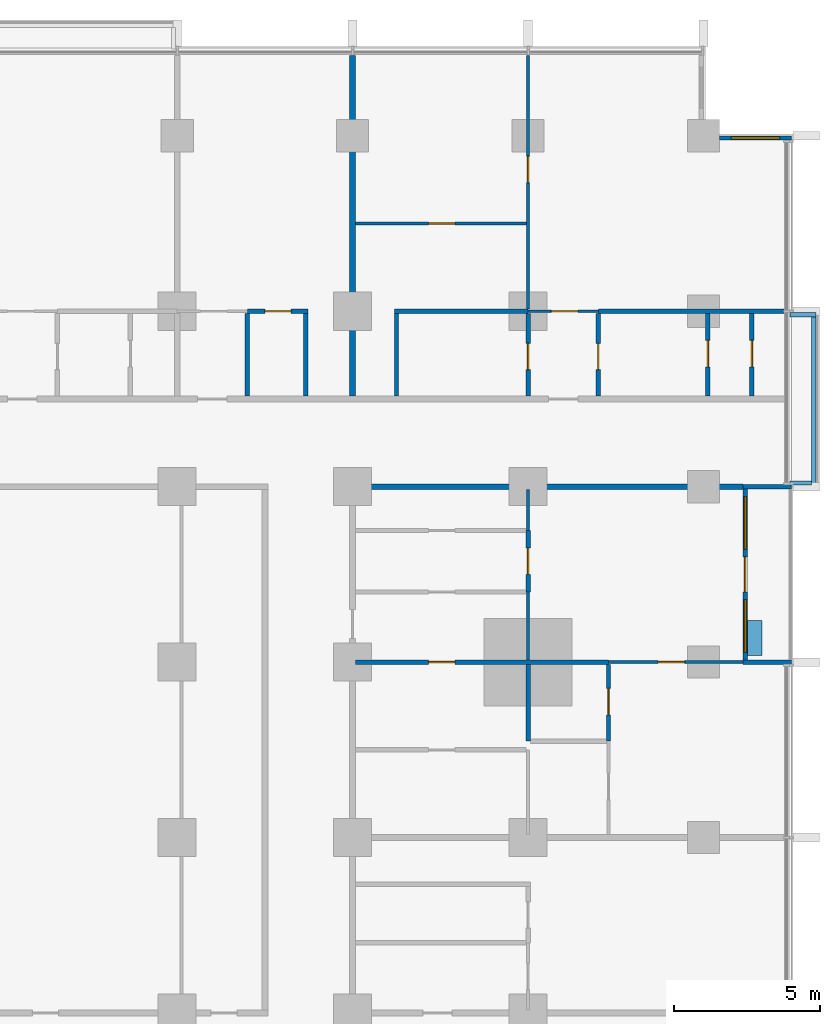
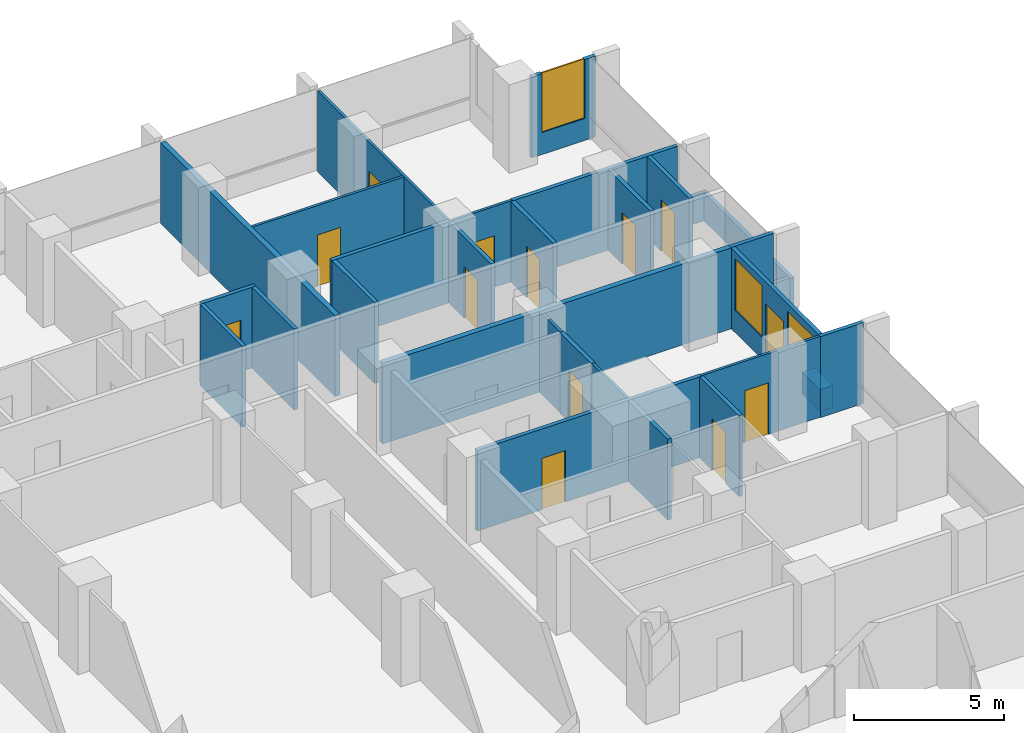
# One storey, part 12 of 18: 30 walls, 13 doors, 3 windows, 16 openings.
"""IFC4 building model written with IfcOpenShell, lengths in metres."""

from ifc_helpers import new_model, si_unit, direction, frame, frame_2d, origin, place, context, subcontext, project, spatial, rectangle, extrude, material, layer, layer_set, type_object, element, fill, save


model = new_model("IFC4")

# Units and contexts
model_context = context("Model", 3, precision=1e-05, world=origin(), true_north=direction((0.0, 1.0)))
body_context = subcontext(model_context, "Body", "Model", "MODEL_VIEW")
ifc_project = project(units=[si_unit("LENGTHUNIT", "METRE"), si_unit("AREAUNIT", "SQUARE_METRE"), si_unit("VOLUMEUNIT", "CUBIC_METRE"), si_unit("PLANEANGLEUNIT", "RADIAN"), si_unit("MASSUNIT", "GRAM", prefix="KILO")], contexts=[model_context])

# Site, building, storey
site_placement = place(None, origin())
site = spatial("IfcSite", under=ifc_project, at=site_placement, CompositionType="ELEMENT")
building_placement = place(site_placement, origin())
building = spatial("IfcBuilding", under=site, at=building_placement, Name="Finial Court Residences", CompositionType="ELEMENT")
storey_placement = place(building_placement, frame((0.0, 0.0, 36.10009765625)))
storey = spatial("IfcBuildingStorey", under=building, at=storey_placement, Name="L07", CompositionType="ELEMENT", Elevation=36.10009765625)

# Walls
ifc_material_1 = material(Name="Gypsum board")
ifc_layer_1 = layer(ifc_material_1, 0.02490234375)
ifc_material_2 = material(Name="Acoustic mineral wool in double frame")
ifc_layer_2 = layer(ifc_material_2, 0.14990234375)
ifc_layer_3 = layer(ifc_material_1, 0.02490234375)
ifc_layer_set_1 = layer_set([ifc_layer_1, ifc_layer_2, ifc_layer_3], Name="Acoustic party wall 200, 1 hour")
wall_type_1 = type_object("IfcWallType", Name="Acoustic party wall 200, 1 hour", PredefinedType="PARTITIONING", material=ifc_layer_set_1)
wall_1_placement = place(storey_placement, frame((10.5, 16.60009765625, 0.0), z_axis=(0.0, 0.0, 1.0), x_axis=(0.0, 1.0, 0.0)))
element("IfcWall", 1, at=wall_1_placement, inside=storey, type_object=wall_type_1, Name="Partition L07-076", PredefinedType="PARTITIONING", context=body_context, shape_type="SweptSolid", body=[
    extrude(rectangle(XDim=11.64990234375, YDim=0.199951171875, at=frame_2d((5.824951171875, 0.0))), origin(), (0.0, 0.0, 1.0), 3.2998046875),
])
ifc_layer_4 = layer(ifc_material_1, 0.02490234375)
ifc_layer_5 = layer(ifc_material_2, 0.14990234375)
ifc_layer_6 = layer(ifc_material_1, 0.02490234375)
ifc_layer_set_2 = layer_set([ifc_layer_4, ifc_layer_5, ifc_layer_6], Name="Corridor wall 200, 1 hour")
wall_type_2 = type_object("IfcWallType", Name="Corridor wall 200, 1 hour", PredefinedType="PARTITIONING", material=ifc_layer_set_2)
wall_2_placement = place(storey_placement, frame((10.39990234375, 13.5, 0.0), z_axis=(0.0, 0.0, 1.0), x_axis=(1.0, 0.0, 0.0)))
element("IfcWall", 2, at=wall_2_placement, inside=storey, type_object=wall_type_2, Name="Partition L07-033", PredefinedType="PARTITIONING", context=body_context, shape_type="SweptSolid", body=[
    extrude(rectangle(XDim=13.4501953125, YDim=0.199951171875, at=frame_2d((6.72509765625, 0.0))), origin(), (0.0, 0.0, 1.0), 3.2998046875),
])

# Wall, opening, door
ifc_layer_7 = layer(ifc_material_1, 0.012451171875)
ifc_material_3 = material(Name="Mineral wool in light-gauge frame")
ifc_layer_8 = layer(ifc_material_3, 0.074951171875)
ifc_layer_9 = layer(ifc_material_1, 0.012451171875)
ifc_layer_set_3 = layer_set([ifc_layer_7, ifc_layer_8, ifc_layer_9], Name="Gypsum board partition 100")
wall_type_3 = type_object("IfcWallType", Name="Gypsum board partition 100", PredefinedType="PARTITIONING", material=ifc_layer_set_3)
wall_3_placement = place(storey_placement, frame((19.25, 7.5, 0.0), z_axis=(0.0, 0.0, 1.0), x_axis=(1.0, 0.0, 0.0)))
wall_3 = element("IfcWall", 3, at=wall_3_placement, inside=storey, type_object=wall_type_3, Name="Partition L07-024", PredefinedType="PARTITIONING", context=body_context, shape_type="SweptSolid", body=[
    extrude(rectangle(XDim=4.60009765625, YDim=0.10009765625, at=frame_2d((2.300048828125, 0.0))), origin(), (0.0, 0.0, 1.0), 3.2998046875),
])
opening_1_placement = place(wall_3_placement, frame((1.699951171875, 0.0, 0.0)))
opening_1 = element("IfcOpeningElement", 4, at=opening_1_placement, cuts=wall_3, Name="Opening L07-D017", PredefinedType="OPENING", context=body_context, shape_type="SweptSolid", body=[
    extrude(rectangle(XDim=0.89990234375, YDim=2.10009765625, at=frame_2d((0.449951171875, 1.050048828125))), frame((0.0, 0.06005859375, 0.0), z_axis=(0.0, -1.0, 0.0), x_axis=(1.0, 0.0, 0.0)), (0.0, 0.0, 1.0), 0.1201171875),
])
ifc_material_4 = material(Name="Timber door leaf in timber frame", Category="wood")
door_type_1 = type_object("IfcDoorType", Name="Door set 900 x 2100", OperationType="SINGLE_SWING_LEFT", PredefinedType="DOOR", material=ifc_material_4)
door_1_placement = place(opening_1_placement, origin())
door_1 = element("IfcDoor", 5, at=door_1_placement, inside=storey, type_object=door_type_1, Name="Door L07-D017", OperationType="SINGLE_SWING_LEFT", OverallHeight=2.10009765625, OverallWidth=0.89990234375, PredefinedType="DOOR", context=body_context, shape_type="SweptSolid", body=[
    extrude(rectangle(XDim=0.89990234375, YDim=2.10009765625, at=frame_2d((0.449951171875, 1.050048828125))), frame((0.0, 0.02490234375, 0.0), z_axis=(0.0, -1.0, 0.0), x_axis=(1.0, 0.0, 0.0)), (0.0, 0.0, 1.0), 0.050048828125),
])
fill(opening_1, door_1)

wall_4_placement = place(storey_placement, frame((16.5, 19.5, 0.0), z_axis=(0.0, 0.0, 1.0), x_axis=(1.0, 0.0, 0.0)))
wall_4 = element("IfcWall", 6, at=wall_4_placement, inside=storey, type_object=wall_type_3, Name="Partition L07-038", PredefinedType="PARTITIONING", context=body_context, shape_type="SweptSolid", body=[
    extrude(rectangle(XDim=2.39990234375, YDim=0.10009765625, at=frame_2d((1.199951171875, 0.0))), origin(), (0.0, 0.0, 1.0), 3.2998046875),
])
opening_2_placement = place(wall_4_placement, frame((0.800048828125, 0.0, 0.0)))
opening_2 = element("IfcOpeningElement", 7, at=opening_2_placement, cuts=wall_4, Name="Opening L07-D031", PredefinedType="OPENING", context=body_context, shape_type="SweptSolid", body=[
    extrude(rectangle(XDim=0.89990234375, YDim=2.10009765625, at=frame_2d((0.449951171875, 1.050048828125))), frame((0.0, 0.06005859375, 0.0), z_axis=(0.0, -1.0, 0.0), x_axis=(1.0, 0.0, 0.0)), (0.0, 0.0, 1.0), 0.1201171875),
])
door_2_placement = place(opening_2_placement, origin())
door_2 = element("IfcDoor", 8, at=door_2_placement, inside=storey, type_object=door_type_1, Name="Door L07-D031", OperationType="SINGLE_SWING_LEFT", OverallHeight=2.10009765625, OverallWidth=0.89990234375, PredefinedType="DOOR", context=body_context, shape_type="SweptSolid", body=[
    extrude(rectangle(XDim=0.89990234375, YDim=2.10009765625, at=frame_2d((0.449951171875, 1.050048828125))), frame((0.0, 0.02490234375, 0.0), z_axis=(0.0, -1.0, 0.0), x_axis=(1.0, 0.0, 0.0)), (0.0, 0.0, 1.0), 0.050048828125),
])
fill(opening_2, door_2)

wall_5_placement = place(storey_placement, frame((10.60009765625, 22.5, 0.0), z_axis=(0.0, 0.0, 1.0), x_axis=(1.0, 0.0, 0.0)))
wall_5 = element("IfcWall", 9, at=wall_5_placement, inside=storey, type_object=wall_type_3, Name="Partition L07-046", PredefinedType="PARTITIONING", context=body_context, shape_type="SweptSolid", body=[
    extrude(rectangle(XDim=5.849853515625, YDim=0.10009765625, at=frame_2d((2.9248046875, 0.0))), origin(), (0.0, 0.0, 1.0), 3.2998046875),
])
opening_3_placement = place(wall_5_placement, frame((2.5, 0.0, 0.0)))
opening_3 = element("IfcOpeningElement", 10, at=opening_3_placement, cuts=wall_5, Name="Opening L07-D034", PredefinedType="OPENING", context=body_context, shape_type="SweptSolid", body=[
    extrude(rectangle(XDim=0.89990234375, YDim=2.10009765625, at=frame_2d((0.449951171875, 1.050048828125))), frame((0.0, 0.06005859375, 0.0), z_axis=(0.0, -1.0, 0.0), x_axis=(1.0, 0.0, 0.0)), (0.0, 0.0, 1.0), 0.1201171875),
])
door_3_placement = place(opening_3_placement, origin())
door_3 = element("IfcDoor", 11, at=door_3_placement, inside=storey, type_object=door_type_1, Name="Door L07-D034", OperationType="SINGLE_SWING_RIGHT", OverallHeight=2.10009765625, OverallWidth=0.89990234375, PredefinedType="DOOR", context=body_context, shape_type="SweptSolid", body=[
    extrude(rectangle(XDim=0.89990234375, YDim=2.10009765625, at=frame_2d((0.449951171875, 1.050048828125))), frame((0.0, 0.02490234375, 0.0), z_axis=(0.0, -1.0, 0.0), x_axis=(1.0, 0.0, 0.0)), (0.0, 0.0, 1.0), 0.050048828125),
])
fill(opening_3, door_3)

# Walls
wall_6_placement = place(storey_placement, frame((16.5, 7.574951171875, 0.0), z_axis=(0.0, 0.0, 1.0), x_axis=(0.0, 1.0, 0.0)))
element("IfcWall", 12, at=wall_6_placement, inside=storey, type_object=wall_type_3, Name="Partition L07-081", PredefinedType="PARTITIONING", context=body_context, shape_type="SweptSolid", body=[
    extrude(rectangle(XDim=2.324951171875, YDim=0.10009765625, at=frame_2d((1.16259765625, 0.0))), origin(), (0.0, 0.0, 1.0), 3.2998046875),
])
wall_7_placement = place(storey_placement, frame((16.5, 12.0, 0.0), z_axis=(0.0, 0.0, 1.0), x_axis=(0.0, 1.0, 0.0)))
element("IfcWall", 13, at=wall_7_placement, inside=storey, type_object=wall_type_3, Name="Partition L07-082", PredefinedType="PARTITIONING", context=body_context, shape_type="SweptSolid", body=[
    extrude(rectangle(XDim=1.39990234375, YDim=0.10009765625, at=frame_2d((0.699951171875, 0.0))), origin(), (0.0, 0.0, 1.0), 3.2998046875),
])

# Wall, opening, door
wall_8_placement = place(storey_placement, frame((16.5, 19.574951171875, 0.0), z_axis=(0.0, 0.0, 1.0), x_axis=(0.0, 1.0, 0.0)))
wall_8 = element("IfcWall", 14, at=wall_8_placement, inside=storey, type_object=wall_type_3, Name="Partition L07-083", PredefinedType="PARTITIONING", context=body_context, shape_type="SweptSolid", body=[
    extrude(rectangle(XDim=8.675048828125, YDim=0.10009765625, at=frame_2d((4.33740234375, 0.0))), origin(), (0.0, 0.0, 1.0), 3.2998046875),
])
opening_4_placement = place(wall_8_placement, frame((4.324951171875, 0.0, 0.0)))
opening_4 = element("IfcOpeningElement", 15, at=opening_4_placement, cuts=wall_8, Name="Opening L07-D049", PredefinedType="OPENING", context=body_context, shape_type="SweptSolid", body=[
    extrude(rectangle(XDim=0.89990234375, YDim=2.10009765625, at=frame_2d((0.449951171875, 1.050048828125))), frame((0.0, 0.06005859375, 0.0), z_axis=(0.0, -1.0, 0.0), x_axis=(1.0, 0.0, 0.0)), (0.0, 0.0, 1.0), 0.1201171875),
])
door_4_placement = place(opening_4_placement, origin())
door_4 = element("IfcDoor", 16, at=door_4_placement, inside=storey, type_object=door_type_1, Name="Door L07-D049", OperationType="SINGLE_SWING_LEFT", OverallHeight=2.10009765625, OverallWidth=0.89990234375, PredefinedType="DOOR", context=body_context, shape_type="SweptSolid", body=[
    extrude(rectangle(XDim=0.89990234375, YDim=2.10009765625, at=frame_2d((0.449951171875, 1.050048828125))), frame((0.0, 0.02490234375, 0.0), z_axis=(0.0, -1.0, 0.0), x_axis=(1.0, 0.0, 0.0)), (0.0, 0.0, 1.0), 0.050048828125),
])
fill(opening_4, door_4)

ifc_material_5 = material(Name="Moisture-resistant gypsum board")
ifc_layer_10 = layer(ifc_material_5, 0.012451171875)
ifc_layer_11 = layer(ifc_material_3, 0.125)
ifc_layer_12 = layer(ifc_material_5, 0.012451171875)
ifc_layer_set_4 = layer_set([ifc_layer_10, ifc_layer_11, ifc_layer_12], Name="Gypsum board wet-area partition 150")
wall_type_4 = type_object("IfcWallType", Name="Gypsum board wet-area partition 150", PredefinedType="PARTITIONING", material=ifc_layer_set_4)
wall_9_placement = place(storey_placement, frame((10.60009765625, 7.5, 0.0), z_axis=(0.0, 0.0, 1.0), x_axis=(1.0, 0.0, 0.0)))
wall_9 = element("IfcWall", 17, at=wall_9_placement, inside=storey, type_object=wall_type_4, Name="Partition L07-026", PredefinedType="PARTITIONING", context=body_context, shape_type="SweptSolid", body=[
    extrude(rectangle(XDim=8.64990234375, YDim=0.14990234375, at=frame_2d((4.324951171875, 0.0))), origin(), (0.0, 0.0, 1.0), 3.2998046875),
])
opening_5_placement = place(wall_9_placement, frame((2.5, 0.0, 0.0)))
opening_5 = element("IfcOpeningElement", 18, at=opening_5_placement, cuts=wall_9, Name="Opening L07-D018", PredefinedType="OPENING", context=body_context, shape_type="SweptSolid", body=[
    extrude(rectangle(XDim=0.89990234375, YDim=2.10009765625, at=frame_2d((0.449951171875, 1.050048828125))), frame((0.0, 0.0849609375, 0.0), z_axis=(0.0, -1.0, 0.0), x_axis=(1.0, 0.0, 0.0)), (0.0, 0.0, 1.0), 0.169921875),
])
door_5_placement = place(opening_5_placement, origin())
door_5 = element("IfcDoor", 19, at=door_5_placement, inside=storey, type_object=door_type_1, Name="Door L07-D018", OperationType="SINGLE_SWING_LEFT", OverallHeight=2.10009765625, OverallWidth=0.89990234375, PredefinedType="DOOR", context=body_context, shape_type="SweptSolid", body=[
    extrude(rectangle(XDim=0.89990234375, YDim=2.10009765625, at=frame_2d((0.449951171875, 1.050048828125))), frame((0.0, 0.02490234375, 0.0), z_axis=(0.0, -1.0, 0.0), x_axis=(1.0, 0.0, 0.0)), (0.0, 0.0, 1.0), 0.050048828125),
])
fill(opening_5, door_5)

wall_10_placement = place(storey_placement, frame((6.89990234375, 19.5, 0.0), z_axis=(0.0, 0.0, 1.0), x_axis=(1.0, 0.0, 0.0)))
wall_10 = element("IfcWall", 20, at=wall_10_placement, inside=storey, type_object=wall_type_4, Name="Partition L07-043", PredefinedType="PARTITIONING", context=body_context, shape_type="SweptSolid", body=[
    extrude(rectangle(XDim=2.0751953125, YDim=0.14990234375, at=frame_2d((1.03759765625, 0.0))), origin(), (0.0, 0.0, 1.0), 3.2998046875),
])
opening_6_placement = place(wall_10_placement, frame((0.60009765625, 0.0, 0.0)))
opening_6 = element("IfcOpeningElement", 21, at=opening_6_placement, cuts=wall_10, Name="Opening L07-D033", PredefinedType="OPENING", context=body_context, shape_type="SweptSolid", body=[
    extrude(rectangle(XDim=0.89990234375, YDim=2.10009765625, at=frame_2d((0.449951171875, 1.050048828125))), frame((0.0, 0.0849609375, 0.0), z_axis=(0.0, -1.0, 0.0), x_axis=(1.0, 0.0, 0.0)), (0.0, 0.0, 1.0), 0.169921875),
])
door_6_placement = place(opening_6_placement, origin())
door_6 = element("IfcDoor", 22, at=door_6_placement, inside=storey, type_object=door_type_1, Name="Door L07-D033", OperationType="SINGLE_SWING_RIGHT", OverallHeight=2.10009765625, OverallWidth=0.89990234375, PredefinedType="DOOR", context=body_context, shape_type="SweptSolid", body=[
    extrude(rectangle(XDim=0.89990234375, YDim=2.10009765625, at=frame_2d((0.449951171875, 1.050048828125))), frame((0.0, 0.02490234375, 0.0), z_axis=(0.0, -1.0, 0.0), x_axis=(1.0, 0.0, 0.0)), (0.0, 0.0, 1.0), 0.050048828125),
])
fill(opening_6, door_6)

# Walls
wall_11_placement = place(storey_placement, frame((11.925048828125, 19.5, 0.0), z_axis=(0.0, 0.0, 1.0), x_axis=(1.0, 0.0, 0.0)))
element("IfcWall", 23, at=wall_11_placement, inside=storey, type_object=wall_type_4, Name="Partition L07-044", PredefinedType="PARTITIONING", context=body_context, shape_type="SweptSolid", body=[
    extrude(rectangle(XDim=4.574951171875, YDim=0.14990234375, at=frame_2d((2.28759765625, 0.0))), origin(), (0.0, 0.0, 1.0), 3.2998046875),
])
wall_12_placement = place(storey_placement, frame((18.89990234375, 19.5, 0.0), z_axis=(0.0, 0.0, 1.0), x_axis=(1.0, 0.0, 0.0)))
element("IfcWall", 24, at=wall_12_placement, inside=storey, type_object=wall_type_4, Name="Partition L07-045", PredefinedType="PARTITIONING", context=body_context, shape_type="SweptSolid", body=[
    extrude(rectangle(XDim=6.35009765625, YDim=0.14990234375, at=frame_2d((3.175048828125, 0.0))), origin(), (0.0, 0.0, 1.0), 3.2998046875),
])
for number, where, z_axis, x_axis, name in (
    (25, (6.89990234375, 16.60009765625, 0.0), (0.0, 0.0, 1.0), (0.0, 1.0, 0.0), "Partition L07-072"),
    (26, (8.89990234375, 16.60009765625, 0.0), (0.0, 0.0, 1.0), (0.0, 1.0, 0.0), "Partition L07-074"),
    (27, (12.0, 16.60009765625, 0.0), (0.0, 0.0, 1.0), (0.0, 1.0, 0.0), "Partition L07-077"),
):
    element("IfcWall", number, at=place(storey_placement, frame(where, z_axis=z_axis, x_axis=x_axis)), inside=storey, type_object=wall_type_4, Name=name, PredefinedType="PARTITIONING", context=body_context, shape_type="SweptSolid", body=[
        extrude(rectangle(XDim=2.824951171875, YDim=0.14990234375, at=frame_2d((1.41259765625, 0.0))), origin(), (0.0, 0.0, 1.0), 3.2998046875),
    ])
wall_13_placement = place(storey_placement, frame((16.5, 4.800048828125, 0.0), z_axis=(0.0, 0.0, 1.0), x_axis=(0.0, 1.0, 0.0)))
element("IfcWall", 28, at=wall_13_placement, inside=storey, type_object=wall_type_4, Name="Partition L07-087", PredefinedType="PARTITIONING", context=body_context, shape_type="SweptSolid", body=[
    extrude(rectangle(XDim=2.625, YDim=0.14990234375, at=frame_2d((1.3125, 0.0))), origin(), (0.0, 0.0, 1.0), 3.2998046875),
])

# Wall, opening, door
wall_14_placement = place(storey_placement, frame((16.5, 9.89990234375, 0.0), z_axis=(0.0, 0.0, 1.0), x_axis=(0.0, 1.0, 0.0)))
wall_14 = element("IfcWall", 29, at=wall_14_placement, inside=storey, type_object=wall_type_4, Name="Partition L07-088", PredefinedType="PARTITIONING", context=body_context, shape_type="SweptSolid", body=[
    extrude(rectangle(XDim=2.10009765625, YDim=0.14990234375, at=frame_2d((1.050048828125, 0.0))), origin(), (0.0, 0.0, 1.0), 3.2998046875),
])
opening_7_placement = place(wall_14_placement, frame((0.60009765625, 0.0, 0.0)))
opening_7 = element("IfcOpeningElement", 30, at=opening_7_placement, cuts=wall_14, Name="Opening L07-D052", PredefinedType="OPENING", context=body_context, shape_type="SweptSolid", body=[
    extrude(rectangle(XDim=0.89990234375, YDim=2.10009765625, at=frame_2d((0.449951171875, 1.050048828125))), frame((0.0, 0.0849609375, 0.0), z_axis=(0.0, -1.0, 0.0), x_axis=(1.0, 0.0, 0.0)), (0.0, 0.0, 1.0), 0.169921875),
])
door_7_placement = place(opening_7_placement, origin())
door_7 = element("IfcDoor", 31, at=door_7_placement, inside=storey, type_object=door_type_1, Name="Door L07-D052", OperationType="SINGLE_SWING_RIGHT", OverallHeight=2.10009765625, OverallWidth=0.89990234375, PredefinedType="DOOR", context=body_context, shape_type="SweptSolid", body=[
    extrude(rectangle(XDim=0.89990234375, YDim=2.10009765625, at=frame_2d((0.449951171875, 1.050048828125))), frame((0.0, 0.02490234375, 0.0), z_axis=(0.0, -1.0, 0.0), x_axis=(1.0, 0.0, 0.0)), (0.0, 0.0, 1.0), 0.050048828125),
])
fill(opening_7, door_7)

wall_15_placement = place(storey_placement, frame((16.5, 16.60009765625, 0.0), z_axis=(0.0, 0.0, 1.0), x_axis=(0.0, 1.0, 0.0)))
wall_15 = element("IfcWall", 32, at=wall_15_placement, inside=storey, type_object=wall_type_4, Name="Partition L07-089", PredefinedType="PARTITIONING", context=body_context, shape_type="SweptSolid", body=[
    extrude(rectangle(XDim=2.824951171875, YDim=0.14990234375, at=frame_2d((1.41259765625, 0.0))), origin(), (0.0, 0.0, 1.0), 3.2998046875),
])
opening_8_placement = place(wall_15_placement, frame((0.89990234375, 0.0, 0.0)))
opening_8 = element("IfcOpeningElement", 33, at=opening_8_placement, cuts=wall_15, Name="Opening L07-D053", PredefinedType="OPENING", context=body_context, shape_type="SweptSolid", body=[
    extrude(rectangle(XDim=0.89990234375, YDim=2.10009765625, at=frame_2d((0.449951171875, 1.050048828125))), frame((0.0, 0.0849609375, 0.0), z_axis=(0.0, -1.0, 0.0), x_axis=(1.0, 0.0, 0.0)), (0.0, 0.0, 1.0), 0.169921875),
])
door_8_placement = place(opening_8_placement, origin())
door_8 = element("IfcDoor", 34, at=door_8_placement, inside=storey, type_object=door_type_1, Name="Door L07-D053", OperationType="SINGLE_SWING_RIGHT", OverallHeight=2.10009765625, OverallWidth=0.89990234375, PredefinedType="DOOR", context=body_context, shape_type="SweptSolid", body=[
    extrude(rectangle(XDim=0.89990234375, YDim=2.10009765625, at=frame_2d((0.449951171875, 1.050048828125))), frame((0.0, 0.02490234375, 0.0), z_axis=(0.0, -1.0, 0.0), x_axis=(1.0, 0.0, 0.0)), (0.0, 0.0, 1.0), 0.050048828125),
])
fill(opening_8, door_8)

wall_16_placement = place(storey_placement, frame((18.89990234375, 16.60009765625, 0.0), z_axis=(0.0, 0.0, 1.0), x_axis=(0.0, 1.0, 0.0)))
wall_16 = element("IfcWall", 35, at=wall_16_placement, inside=storey, type_object=wall_type_4, Name="Partition L07-090", PredefinedType="PARTITIONING", context=body_context, shape_type="SweptSolid", body=[
    extrude(rectangle(XDim=2.824951171875, YDim=0.14990234375, at=frame_2d((1.41259765625, 0.0))), origin(), (0.0, 0.0, 1.0), 3.2998046875),
])
opening_9_placement = place(wall_16_placement, frame((0.89990234375, 0.0, 0.0)))
opening_9 = element("IfcOpeningElement", 36, at=opening_9_placement, cuts=wall_16, Name="Opening L07-D054", PredefinedType="OPENING", context=body_context, shape_type="SweptSolid", body=[
    extrude(rectangle(XDim=0.89990234375, YDim=2.10009765625, at=frame_2d((0.449951171875, 1.050048828125))), frame((0.0, 0.0849609375, 0.0), z_axis=(0.0, -1.0, 0.0), x_axis=(1.0, 0.0, 0.0)), (0.0, 0.0, 1.0), 0.169921875),
])
door_9_placement = place(opening_9_placement, origin())
door_9 = element("IfcDoor", 37, at=door_9_placement, inside=storey, type_object=door_type_1, Name="Door L07-D054", OperationType="SINGLE_SWING_RIGHT", OverallHeight=2.10009765625, OverallWidth=0.89990234375, PredefinedType="DOOR", context=body_context, shape_type="SweptSolid", body=[
    extrude(rectangle(XDim=0.89990234375, YDim=2.10009765625, at=frame_2d((0.449951171875, 1.050048828125))), frame((0.0, 0.02490234375, 0.0), z_axis=(0.0, -1.0, 0.0), x_axis=(1.0, 0.0, 0.0)), (0.0, 0.0, 1.0), 0.050048828125),
])
fill(opening_9, door_9)

wall_17_placement = place(storey_placement, frame((19.25, 4.800048828125, 0.0), z_axis=(0.0, 0.0, 1.0), x_axis=(0.0, 1.0, 0.0)))
wall_17 = element("IfcWall", 38, at=wall_17_placement, inside=storey, type_object=wall_type_4, Name="Partition L07-092", PredefinedType="PARTITIONING", context=body_context, shape_type="SweptSolid", body=[
    extrude(rectangle(XDim=2.625, YDim=0.14990234375, at=frame_2d((1.3125, 0.0))), origin(), (0.0, 0.0, 1.0), 3.2998046875),
])
opening_10_placement = place(wall_17_placement, frame((0.89990234375, 0.0, 0.0)))
opening_10 = element("IfcOpeningElement", 39, at=opening_10_placement, cuts=wall_17, Name="Opening L07-D056", PredefinedType="OPENING", context=body_context, shape_type="SweptSolid", body=[
    extrude(rectangle(XDim=0.89990234375, YDim=2.10009765625, at=frame_2d((0.449951171875, 1.050048828125))), frame((0.0, 0.0849609375, 0.0), z_axis=(0.0, -1.0, 0.0), x_axis=(1.0, 0.0, 0.0)), (0.0, 0.0, 1.0), 0.169921875),
])
door_10_placement = place(opening_10_placement, origin())
door_10 = element("IfcDoor", 40, at=door_10_placement, inside=storey, type_object=door_type_1, Name="Door L07-D056", OperationType="SINGLE_SWING_LEFT", OverallHeight=2.10009765625, OverallWidth=0.89990234375, PredefinedType="DOOR", context=body_context, shape_type="SweptSolid", body=[
    extrude(rectangle(XDim=0.89990234375, YDim=2.10009765625, at=frame_2d((0.449951171875, 1.050048828125))), frame((0.0, 0.02490234375, 0.0), z_axis=(0.0, -1.0, 0.0), x_axis=(1.0, 0.0, 0.0)), (0.0, 0.0, 1.0), 0.050048828125),
])
fill(opening_10, door_10)

wall_18_placement = place(storey_placement, frame((22.64990234375, 16.60009765625, 0.0), z_axis=(0.0, 0.0, 1.0), x_axis=(0.0, 1.0, 0.0)))
wall_18 = element("IfcWall", 41, at=wall_18_placement, inside=storey, type_object=wall_type_4, Name="Partition L07-096", PredefinedType="PARTITIONING", context=body_context, shape_type="SweptSolid", body=[
    extrude(rectangle(XDim=2.824951171875, YDim=0.14990234375, at=frame_2d((1.41259765625, 0.0))), origin(), (0.0, 0.0, 1.0), 3.2998046875),
])
opening_11_placement = place(wall_18_placement, frame((1.0, 0.0, 0.0)))
opening_11 = element("IfcOpeningElement", 42, at=opening_11_placement, cuts=wall_18, Name="Opening L07-D060", PredefinedType="OPENING", context=body_context, shape_type="SweptSolid", body=[
    extrude(rectangle(XDim=0.89990234375, YDim=2.10009765625, at=frame_2d((0.449951171875, 1.050048828125))), frame((0.0, 0.0849609375, 0.0), z_axis=(0.0, -1.0, 0.0), x_axis=(1.0, 0.0, 0.0)), (0.0, 0.0, 1.0), 0.169921875),
])
door_11_placement = place(opening_11_placement, origin())
door_11 = element("IfcDoor", 43, at=door_11_placement, inside=storey, type_object=door_type_1, Name="Door L07-D060", OperationType="SINGLE_SWING_RIGHT", OverallHeight=2.10009765625, OverallWidth=0.89990234375, PredefinedType="DOOR", context=body_context, shape_type="SweptSolid", body=[
    extrude(rectangle(XDim=0.89990234375, YDim=2.10009765625, at=frame_2d((0.449951171875, 1.050048828125))), frame((0.0, 0.02490234375, 0.0), z_axis=(0.0, -1.0, 0.0), x_axis=(1.0, 0.0, 0.0)), (0.0, 0.0, 1.0), 0.050048828125),
])
fill(opening_11, door_11)

wall_19_placement = place(storey_placement, frame((24.14990234375, 16.60009765625, 0.0), z_axis=(0.0, 0.0, 1.0), x_axis=(0.0, 1.0, 0.0)))
wall_19 = element("IfcWall", 44, at=wall_19_placement, inside=storey, type_object=wall_type_4, Name="Partition L07-097", PredefinedType="PARTITIONING", context=body_context, shape_type="SweptSolid", body=[
    extrude(rectangle(XDim=2.824951171875, YDim=0.14990234375, at=frame_2d((1.41259765625, 0.0))), origin(), (0.0, 0.0, 1.0), 3.2998046875),
])
opening_12_placement = place(wall_19_placement, frame((1.0, 0.0, 0.0)))
opening_12 = element("IfcOpeningElement", 45, at=opening_12_placement, cuts=wall_19, Name="Opening L07-D061", PredefinedType="OPENING", context=body_context, shape_type="SweptSolid", body=[
    extrude(rectangle(XDim=0.89990234375, YDim=2.10009765625, at=frame_2d((0.449951171875, 1.050048828125))), frame((0.0, 0.0849609375, 0.0), z_axis=(0.0, -1.0, 0.0), x_axis=(1.0, 0.0, 0.0)), (0.0, 0.0, 1.0), 0.169921875),
])
door_12_placement = place(opening_12_placement, origin())
door_12 = element("IfcDoor", 46, at=door_12_placement, inside=storey, type_object=door_type_1, Name="Door L07-D061", OperationType="SINGLE_SWING_LEFT", OverallHeight=2.10009765625, OverallWidth=0.89990234375, PredefinedType="DOOR", context=body_context, shape_type="SweptSolid", body=[
    extrude(rectangle(XDim=0.89990234375, YDim=2.10009765625, at=frame_2d((0.449951171875, 1.050048828125))), frame((0.0, 0.02490234375, 0.0), z_axis=(0.0, -1.0, 0.0), x_axis=(1.0, 0.0, 0.0)), (0.0, 0.0, 1.0), 0.050048828125),
])
fill(opening_12, door_12)

# Walls
ifc_material_6 = material(Name="Concrete C35/45", Category="concrete")
ifc_layer_13 = layer(ifc_material_6, 0.14990234375)
ifc_layer_set_5 = layer_set([ifc_layer_13], Name="Ledge parapet, Concrete C35/45 150")
wall_type_5 = type_object("IfcWallType", Name="Ledge parapet, Concrete C35/45 150", PredefinedType="PARAPET", material=ifc_layer_set_5)
wall_20_placement = place(storey_placement, frame((25.4599609375, 19.375, 0.0), z_axis=(0.0, 0.0, 1.0), x_axis=(1.0, 0.0, 0.0)))
element("IfcWall", 47, at=wall_20_placement, inside=storey, type_object=wall_type_5, Name="E-L07-LED3-P1", PredefinedType="PARAPET", context=body_context, shape_type="SweptSolid", body=[
    extrude(rectangle(XDim=0.89013671875, YDim=0.14990234375, at=frame_2d((0.445068359375, 0.0))), origin(), (0.0, 0.0, 1.0), 1.14990234375),
])
wall_21_placement = place(storey_placement, frame((26.27490234375, 19.300048828125, 0.0), z_axis=(0.0, 0.0, 1.0), x_axis=(0.0, -1.0, 0.0)))
element("IfcWall", 48, at=wall_21_placement, inside=storey, type_object=wall_type_5, Name="E-L07-LED3-P2", PredefinedType="PARAPET", context=body_context, shape_type="SweptSolid", body=[
    extrude(rectangle(XDim=5.75, YDim=0.14990234375, at=frame_2d((2.875, 0.0))), origin(), (0.0, 0.0, 1.0), 1.14990234375),
])
wall_22_placement = place(storey_placement, frame((26.199951171875, 13.625, 0.0), z_axis=(0.0, 0.0, 1.0), x_axis=(-1.0, 0.0, 0.0)))
element("IfcWall", 49, at=wall_22_placement, inside=storey, type_object=wall_type_5, Name="E-L07-LED3-P3", PredefinedType="PARAPET", context=body_context, shape_type="SweptSolid", body=[
    extrude(rectangle(XDim=0.739990234375, YDim=0.14990234375, at=frame_2d((0.3701171875, 0.0))), origin(), (0.0, 0.0, 1.0), 1.14990234375),
])

# Wall, opening, window
ifc_material_7 = material(Name="Natural limestone", Category="masonry")
ifc_layer_14 = layer(ifc_material_7, 0.14990234375)
ifc_layer_set_6 = layer_set([ifc_layer_14], Name="Limestone clad wall 150")
wall_type_6 = type_object("IfcWallType", Name="Limestone clad wall 150", PredefinedType="SOLIDWALL", material=ifc_layer_set_6)
wall_23_placement = place(storey_placement, frame((23.050048828125, 25.425048828125, 0.0), z_axis=(0.0, 0.0, 1.0), x_axis=(1.0, 0.0, 0.0)))
wall_23 = element("IfcWall", 50, at=wall_23_placement, inside=storey, type_object=wall_type_6, Name="E-L07-NWN21", PredefinedType="SOLIDWALL", context=body_context, shape_type="SweptSolid", body=[
    extrude(rectangle(XDim=2.449951171875, YDim=0.14990234375, at=frame_2d((1.22509765625, 0.0))), origin(), (0.0, 0.0, 1.0), 3.2998046875),
])
opening_13_placement = place(wall_23_placement, frame((0.39990234375, 0.0, 0.89990234375)))
opening_13 = element("IfcOpeningElement", 51, at=opening_13_placement, cuts=wall_23, Name="Opening WE07-08", PredefinedType="OPENING", context=body_context, shape_type="SweptSolid", body=[
    extrude(rectangle(XDim=1.64990234375, YDim=2.39990234375, at=frame_2d((0.824951171875, 1.199951171875))), frame((0.0, 0.0849609375, 0.0), z_axis=(0.0, -1.0, 0.0), x_axis=(1.0, 0.0, 0.0)), (0.0, 0.0, 1.0), 0.169921875),
])
ifc_material_8 = material(Name="Clear low-e glass", Category="glass")
window_type_1 = type_object("IfcWindowType", Name="Corner window 1650 x 2400", PartitioningType="SINGLE_PANEL", PredefinedType="WINDOW", material=ifc_material_8)
window_1_placement = place(opening_13_placement, origin())
window_1 = element("IfcWindow", 52, at=window_1_placement, inside=storey, type_object=window_type_1, Name="E-L07-NWN21-W1", OverallHeight=2.39990234375, OverallWidth=1.64990234375, PartitioningType="SINGLE_PANEL", PredefinedType="WINDOW", context=body_context, shape_type="SweptSolid", body=[
    extrude(rectangle(XDim=1.64990234375, YDim=2.39990234375, at=frame_2d((0.824951171875, 1.199951171875))), frame((0.0, 0.030029296875, 0.0), z_axis=(0.0, -1.0, 0.0), x_axis=(1.0, 0.0, 0.0)), (0.0, 0.0, 1.0), 0.06005859375),
])
fill(opening_13, window_1)

# Walls
for number, where, z_axis, x_axis, name in (
    (53, (23.85009765625, 7.5, 0.0), (0.0, 0.0, 1.0), (1.0, 0.0, 0.0), "E-L07-BALE5-P1"),
    (54, (23.85009765625, 13.5, 0.0), (0.0, 0.0, 1.0), (1.0, 0.0, 0.0), "E-L07-BALE5-P2"),
):
    element("IfcWall", number, at=place(storey_placement, frame(where, z_axis=z_axis, x_axis=x_axis)), inside=storey, type_object=wall_type_6, Name=name, PredefinedType="SOLIDWALL", context=body_context, shape_type="SweptSolid", body=[
        extrude(rectangle(XDim=1.64990234375, YDim=0.14990234375, at=frame_2d((0.824951171875, 0.0))), origin(), (0.0, 0.0, 1.0), 3.2998046875),
    ])

# Wall, openings, door, windows
wall_24_placement = place(storey_placement, frame((23.925048828125, 13.425048828125, 0.0), z_axis=(0.0, 0.0, 1.0), x_axis=(0.0, -1.0, 0.0)))
wall_24 = element("IfcWall", 55, at=wall_24_placement, inside=storey, type_object=wall_type_6, Name="E-L07-L07-BALE5-W", PredefinedType="SOLIDWALL", context=body_context, shape_type="SweptSolid", body=[
    extrude(rectangle(XDim=5.85009765625, YDim=0.14990234375, at=frame_2d((2.925048828125, 0.0))), origin(), (0.0, 0.0, 1.0), 3.2998046875),
])
opening_14_placement = place(wall_24_placement, frame((2.324951171875, 0.0, 0.0)))
opening_14 = element("IfcOpeningElement", 56, at=opening_14_placement, cuts=wall_24, Name="Opening DE07-01", PredefinedType="OPENING", context=body_context, shape_type="SweptSolid", body=[
    extrude(rectangle(XDim=1.199951171875, YDim=2.39990234375, at=frame_2d((0.60009765625, 1.199951171875))), frame((0.0, 0.0849609375, 0.0), z_axis=(0.0, -1.0, 0.0), x_axis=(1.0, 0.0, 0.0)), (0.0, 0.0, 1.0), 0.169921875),
])
opening_15_placement = place(wall_24_placement, frame((3.78759765625, 0.0, 0.89990234375)))
opening_15 = element("IfcOpeningElement", 57, at=opening_15_placement, cuts=wall_24, Name="Opening WE07-09", PredefinedType="OPENING", context=body_context, shape_type="SweptSolid", body=[
    extrude(rectangle(XDim=1.800048828125, YDim=2.10009765625, at=frame_2d((0.89990234375, 1.050048828125))), frame((0.0, 0.0849609375, 0.0), z_axis=(0.0, -1.0, 0.0), x_axis=(1.0, 0.0, 0.0)), (0.0, 0.0, 1.0), 0.169921875),
])
opening_16_placement = place(wall_24_placement, frame((0.262451171875, 0.0, 0.89990234375)))
opening_16 = element("IfcOpeningElement", 58, at=opening_16_placement, cuts=wall_24, Name="Opening WE07-10", PredefinedType="OPENING", context=body_context, shape_type="SweptSolid", body=[
    extrude(rectangle(XDim=1.800048828125, YDim=2.10009765625, at=frame_2d((0.89990234375, 1.050048828125))), frame((0.0, 0.0849609375, 0.0), z_axis=(0.0, -1.0, 0.0), x_axis=(1.0, 0.0, 0.0)), (0.0, 0.0, 1.0), 0.169921875),
])
ifc_material_9 = material(Name="Bronze anodised aluminium", Category="aluminium")
door_type_2 = type_object("IfcDoorType", Name="Balcony door 1200 x 2400", OperationType="SINGLE_SWING_LEFT", PredefinedType="DOOR", material=ifc_material_9)
door_13_placement = place(opening_14_placement, origin())
door_13 = element("IfcDoor", 59, at=door_13_placement, inside=storey, type_object=door_type_2, Name="E-L07-L07-BALE5-W-D", OperationType="SINGLE_SWING_LEFT", OverallHeight=2.39990234375, OverallWidth=1.199951171875, PredefinedType="DOOR", context=body_context, shape_type="SweptSolid", body=[
    extrude(rectangle(XDim=1.199951171875, YDim=2.39990234375, at=frame_2d((0.60009765625, 1.199951171875))), frame((0.0, 0.02490234375, 0.0), z_axis=(0.0, -1.0, 0.0), x_axis=(1.0, 0.0, 0.0)), (0.0, 0.0, 1.0), 0.050048828125),
])
fill(opening_14, door_13)
window_type_2 = type_object("IfcWindowType", Name="Balcony window 1800 x 2100", PartitioningType="SINGLE_PANEL", PredefinedType="WINDOW", material=ifc_material_8)
window_2_placement = place(opening_15_placement, origin())
window_2 = element("IfcWindow", 60, at=window_2_placement, inside=storey, type_object=window_type_2, Name="E-L07-L07-BALE5-W-W1", OverallHeight=2.10009765625, OverallWidth=1.800048828125, PartitioningType="SINGLE_PANEL", PredefinedType="WINDOW", context=body_context, shape_type="SweptSolid", body=[
    extrude(rectangle(XDim=1.800048828125, YDim=2.10009765625, at=frame_2d((0.89990234375, 1.050048828125))), frame((0.0, 0.030029296875, 0.0), z_axis=(0.0, -1.0, 0.0), x_axis=(1.0, 0.0, 0.0)), (0.0, 0.0, 1.0), 0.06005859375),
])
fill(opening_15, window_2)
window_3_placement = place(opening_16_placement, origin())
window_3 = element("IfcWindow", 61, at=window_3_placement, inside=storey, type_object=window_type_2, Name="E-L07-L07-BALE5-W-W2", OverallHeight=2.10009765625, OverallWidth=1.800048828125, PartitioningType="SINGLE_PANEL", PredefinedType="WINDOW", context=body_context, shape_type="SweptSolid", body=[
    extrude(rectangle(XDim=1.800048828125, YDim=2.10009765625, at=frame_2d((0.89990234375, 1.050048828125))), frame((0.0, 0.030029296875, 0.0), z_axis=(0.0, -1.0, 0.0), x_axis=(1.0, 0.0, 0.0)), (0.0, 0.0, 1.0), 0.06005859375),
])
fill(opening_16, window_3)

# Wall
ifc_material_10 = material(Name="Concrete C40/50", Category="concrete")
ifc_layer_15 = layer(ifc_material_10, 0.10009765625)
ifc_material_11 = material(Name="Planting soil", Category="soil")
ifc_layer_16 = layer(ifc_material_11, 0.300048828125)
ifc_layer_17 = layer(ifc_material_10, 0.10009765625)
ifc_layer_set_7 = layer_set([ifc_layer_15, ifc_layer_16, ifc_layer_17], Name="Planter wall, balcony")
wall_type_7 = type_object("IfcWallType", Name="Planter wall, balcony", PredefinedType="USERDEFINED", material=ifc_layer_set_7)
wall_25_placement = place(storey_placement, frame((24.25, 7.72509765625, 0.0), z_axis=(0.0, 0.0, 1.0), x_axis=(0.0, 1.0, 0.0)))
element("IfcWall", 62, at=wall_25_placement, inside=storey, type_object=wall_type_7, Name="E-L07-BALE5-PL", ObjectType="PLANTER", PredefinedType="USERDEFINED", context=body_context, shape_type="SweptSolid", body=[
    extrude(rectangle(XDim=1.199951171875, YDim=0.5, at=frame_2d((0.60009765625, 0.0))), origin(), (0.0, 0.0, 1.0), 0.89990234375),
])

save(model, "model.ifc")
